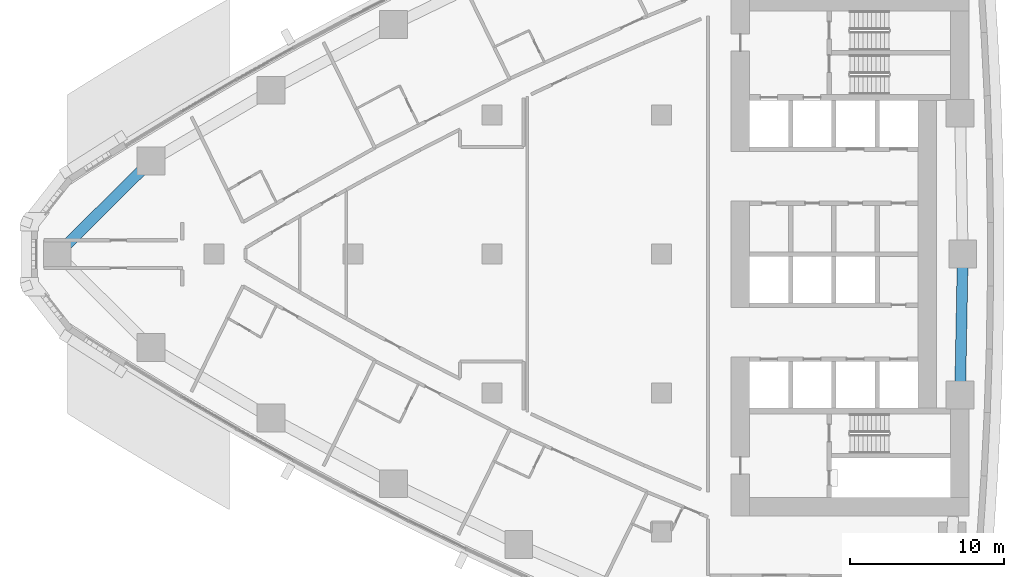
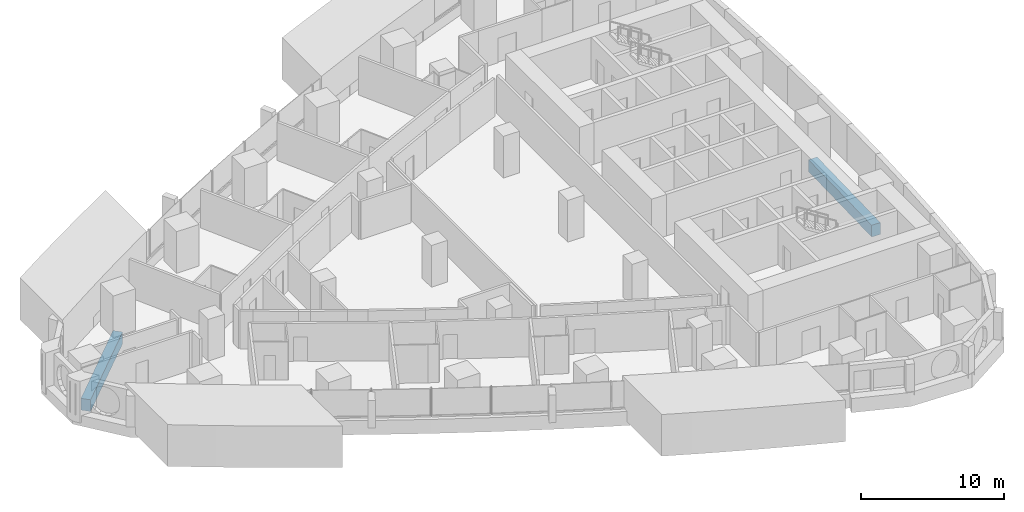
# One storey, part 4 of 19: 2 beams.
"""IFC4 building model written with IfcOpenShell, lengths in metres."""

import ifcopenshell
import ifcopenshell.guid

model = None  # the IFC model being written
_history = None  # IfcOwnerHistory: only IFC2X3 demands one
_inside = {}  # id of a spatial element -> (the spatial element, [elements in it])
_under = {}  # id of a project, library or spatial element -> (it, [spatial elements below it])
_declared = {}  # id of a project -> (the project, [libraries it declares])
_typed = {}  # id of a type object -> (the type object, [elements of that type])
_made_of = {}  # id of a material, layer set ... -> (it, [elements and type objects made of it])


def new_model(schema):
    """Start an empty IFC model of exactly this schema.

    Asked for "IFC4X3", IfcOpenShell would pick the latest addendum, in which some entities
    have other attributes; the version numbers below select the first issue.
    IFC2X3 requires an IfcOwnerHistory on every rooted entity: one is made here for all.
    """
    global model, _history
    if schema == "IFC4X3":
        model = ifcopenshell.file(schema_version=(4, 3, 0, 0))
    else:
        model = ifcopenshell.file(schema=schema)
    _inside.clear()
    _under.clear()
    _declared.clear()
    _typed.clear()
    _made_of.clear()
    _history = None
    if model.schema == "IFC2X3":
        org = make("IfcOrganization", Name="unknown")
        user = make(
            "IfcPersonAndOrganization",
            ThePerson=make("IfcPerson", FamilyName="unknown"),
            TheOrganization=org,
        )
        app = make(
            "IfcApplication",
            ApplicationDeveloper=org,
            Version="unknown",
            ApplicationFullName="unknown",
            ApplicationIdentifier="unknown",
        )
        _history = make(
            "IfcOwnerHistory",
            OwningUser=user,
            OwningApplication=app,
            ChangeAction="ADDED",
            CreationDate=0,
        )
    return model


def make(cls, **values):
    """One entity of the class cls with the attributes given. An attribute that is None is left unset."""
    return model.create_entity(
        cls, **{name: value for name, value in values.items() if value is not None}
    )


def rooted(cls, **values):
    """An entity with a GlobalId (a new one), such as an element, a storey or a relation."""
    return make(cls, GlobalId=ifcopenshell.guid.new(), OwnerHistory=_history, **values)


def si_unit(unit_type, name, prefix=None):
    """IfcSIUnit, for example si_unit("LENGTHUNIT", "METRE", prefix="MILLI")."""
    return make("IfcSIUnit", UnitType=unit_type, Prefix=prefix, Name=name)


def assignment(units):
    """IfcUnitAssignment: the units of a project."""
    return None if units is None else make("IfcUnitAssignment", Units=units)


def point(xyz):
    """IfcCartesianPoint."""
    return None if xyz is None else make("IfcCartesianPoint", Coordinates=xyz)


def direction(xyz):
    """IfcDirection."""
    return None if xyz is None else make("IfcDirection", DirectionRatios=xyz)


def frame(location, z_axis=None, x_axis=None):
    """IfcAxis2Placement3D, a coordinate frame: its origin and axes. An axis left out is left unset."""
    return make(
        "IfcAxis2Placement3D",
        Location=point(location),
        Axis=direction(z_axis),
        RefDirection=direction(x_axis),
    )


def frame_2d(location, x_axis=None):
    """IfcAxis2Placement2D, a coordinate frame in the plane: its origin and x axis."""
    return make(
        "IfcAxis2Placement2D", Location=point(location), RefDirection=direction(x_axis)
    )


def origin():
    """The frame at (0, 0, 0) with its axes left unset."""
    return frame((0.0, 0.0, 0.0))


def origin_2d():
    """The frame at (0, 0) in the plane with its x axis left unset."""
    return frame_2d((0.0, 0.0))


def place(relative_to, where):
    """IfcLocalPlacement: puts the frame where relative to a parent placement (None: the world)."""
    return make(
        "IfcLocalPlacement", PlacementRelTo=relative_to, RelativePlacement=where
    )


def context(
    kind, dimensions, precision=None, world=None, true_north=None, identifier=None
):
    """IfcGeometricRepresentationContext, for example the 3D "Model" context."""
    return make(
        "IfcGeometricRepresentationContext",
        ContextIdentifier=identifier,
        ContextType=kind,
        CoordinateSpaceDimension=dimensions,
        Precision=precision,
        WorldCoordinateSystem=world,
        TrueNorth=true_north,
    )


def subcontext(parent, identifier, kind, view, scale=None):
    """IfcGeometricRepresentationSubContext, for example "Body" below "Model"."""
    return make(
        "IfcGeometricRepresentationSubContext",
        ContextIdentifier=identifier,
        ContextType=kind,
        ParentContext=parent,
        TargetScale=scale,
        TargetView=view,
    )


def project(units=None, contexts=None):
    """IfcProject with its units and contexts."""
    return rooted(
        "IfcProject",
        Name="project",
        RepresentationContexts=contexts,
        UnitsInContext=assignment(units),
    )


def spatial(cls, under=None, at=None, **own):
    """A site, building, storey or space (cls), placed at a placement, below another one or the project."""
    s = rooted(cls, ObjectPlacement=at, **own)
    if under is not None:
        _under.setdefault(under.id(), (under, []))[1].append(s)
    return s


def profile(cls, at=None, kind="AREA", **sizes):
    """A parametric profile (cls). Its sizes go by their IFC names, for example OverallWidth=200.0."""
    return make(cls, ProfileType=kind, Position=at, **sizes)


def rectangle(**sizes):
    """IfcRectangleProfileDef."""
    return profile("IfcRectangleProfileDef", **sizes)


def extrude(swept, where, along, depth):
    """IfcExtrudedAreaSolid: the profile swept, set in the frame where, extruded along a direction by depth."""
    return make(
        "IfcExtrudedAreaSolid",
        SweptArea=swept,
        Position=where,
        ExtrudedDirection=direction(along),
        Depth=depth,
    )


def shape(context_of_items, identifier, shape_type, items):
    """IfcShapeRepresentation: the items that make up one representation, for example the "Body"."""
    return make(
        "IfcShapeRepresentation",
        ContextOfItems=context_of_items,
        RepresentationIdentifier=identifier,
        RepresentationType=shape_type,
        Items=items,
    )


def material(Name=None, Category=None):
    """IfcMaterial."""
    return make("IfcMaterial", Name=Name, Category=Category)


def material_profile(
    of_material, cross_section, Name=None, Category=None, Priority=None
):
    """IfcMaterialProfile: a cross section and its material."""
    return make(
        "IfcMaterialProfile",
        Name=Name,
        Material=of_material,
        Profile=cross_section,
        Priority=Priority,
        Category=Category,
    )


def profile_set(profiles, Name=None, composite=None):
    """IfcMaterialProfileSet."""
    return make(
        "IfcMaterialProfileSet",
        Name=Name,
        MaterialProfiles=profiles,
        CompositeProfile=composite,
    )


def made_of(thing, what):
    """Note that an element or type object is made of a material, layer set ...; save() writes the relation."""
    if what is not None:
        _made_of.setdefault(what.id(), (what, []))[1].append(thing)
    return thing


def type_object(cls, material=None, **own):
    """A type object (cls), such as IfcWallType, which elements share."""
    return made_of(rooted(cls, **own), material)


def element(
    cls,
    number,
    at=None,
    inside=None,
    cuts=None,
    type_object=None,
    material=None,
    context=None,
    identifier="Body",
    shape_type=None,
    held_by="IfcProductDefinitionShape",
    body=None,
    shapes=None,
    **own,
):
    """One element of the class cls, such as IfcWall. Its Tag is "e" and its number.

    at: its placement. inside: the storey or other place that contains it. cuts: it is an
    opening in that element (IfcRelVoidsElement). A single representation is given by context,
    identifier, shape_type and body (its items); several are given by shapes. held_by: the class
    of the entity that holds the representations. save() writes the other relations.
    """
    e = rooted(cls, Tag="e%d" % number, ObjectPlacement=at, **own)
    if body is not None:
        shapes = [shape(context, identifier, shape_type, body)]
    if shapes is not None:
        e.Representation = make(held_by, Representations=shapes)
    if inside is not None:
        _inside.setdefault(inside.id(), (inside, []))[1].append(e)
    if cuts is not None:
        rooted(
            "IfcRelVoidsElement", RelatingBuildingElement=cuts, RelatedOpeningElement=e
        )
    if type_object is not None:
        _typed.setdefault(type_object.id(), (type_object, []))[1].append(e)
    return made_of(e, material)


def aggregate(whole, parts):
    """IfcRelAggregates: a whole, such as a stair, and the parts it consists of."""
    return rooted("IfcRelAggregates", RelatingObject=whole, RelatedObjects=parts)


def save(model, path):
    """Write the relations noted so far, then the file.

    IfcRelAggregates (storeys below a building ...), IfcRelContainedInSpatialStructure (elements
    in a storey), IfcRelDefinesByType, IfcRelAssociatesMaterial and IfcRelDeclares: one each for
    every whole, place, type object, material and project.
    """
    for whole, parts in _under.values():
        aggregate(whole, parts)
    for where, things in _inside.values():
        rooted(
            "IfcRelContainedInSpatialStructure",
            RelatedElements=things,
            RelatingStructure=where,
        )
    for kind, things in _typed.values():
        rooted("IfcRelDefinesByType", RelatedObjects=things, RelatingType=kind)
    for what, things in _made_of.values():
        rooted("IfcRelAssociatesMaterial", RelatedObjects=things, RelatingMaterial=what)
    for by, libraries in _declared.values():
        rooted("IfcRelDeclares", RelatingContext=by, RelatedDefinitions=libraries)
    model.write(path)


model = new_model("IFC4")

# Units and contexts
model_context = context("Model", 3, precision=1e-05, world=origin(), true_north=direction((0.0, 1.0)))
body_context = subcontext(model_context, "Body", "Model", "MODEL_VIEW")
ifc_project = project(units=[si_unit("LENGTHUNIT", "METRE"), si_unit("AREAUNIT", "SQUARE_METRE"), si_unit("VOLUMEUNIT", "CUBIC_METRE"), si_unit("PLANEANGLEUNIT", "RADIAN"), si_unit("MASSUNIT", "GRAM", prefix="KILO")], contexts=[model_context])

# Site, building, storey
site_placement = place(None, origin())
site = spatial("IfcSite", under=ifc_project, at=site_placement, CompositionType="ELEMENT")
building_placement = place(site_placement, origin())
building = spatial("IfcBuilding", under=site, at=building_placement, Name="Ostrand Prow Hotel Tower", CompositionType="ELEMENT")
storey_placement = place(building_placement, frame((0.0, 0.0, 60.89990234375)))
storey = spatial("IfcBuildingStorey", under=building, at=storey_placement, Name="L13", CompositionType="ELEMENT", Elevation=60.89990234375)

# Beams
ifc_material = material(Name="Concrete C80/95", Category="concrete")
ifc_material_profile = material_profile(ifc_material, rectangle(XDim=0.699951171875, YDim=1.0, at=origin_2d()), Name="RC 700x1000")
ifc_profile_set = profile_set([ifc_material_profile], Name="Concrete C80/95")
beam_type = type_object("IfcBeamType", Name="Edge beam 700x1000 C80/95", PredefinedType="SPANDREL", material=ifc_profile_set)
beam_1_placement = place(storey_placement, frame((64.328369140625, -9.130859375, -0.7998046875), z_axis=(0.018793471688, 0.999823387115, 0.0), x_axis=(-0.999823387115, 0.018793471688, 0.0)))
element("IfcBeam", 1, at=beam_1_placement, inside=storey, type_object=beam_type, Name="Edge beam B2-B3", PredefinedType="SPANDREL", context=body_context, shape_type="SweptSolid", body=[
    extrude(rectangle(XDim=0.699951171875, YDim=1.0, at=origin_2d()), origin(), (0.0, 0.0, 1.0), 9.132568359375),
])
beam_2_placement = place(storey_placement, frame((11.926513671875, 6.0419921875, -0.7998046875), z_axis=(-0.709211674915, -0.70499560294, 0.0), x_axis=(0.70499560294, -0.709211674915, 0.0)))
element("IfcBeam", 2, at=beam_2_placement, inside=storey, type_object=beam_type, Name="Edge beam N6-P", PredefinedType="SPANDREL", context=body_context, shape_type="SweptSolid", body=[
    extrude(rectangle(XDim=0.699951171875, YDim=1.0, at=origin_2d()), origin(), (0.0, 0.0, 1.0), 8.5703125),
])

save(model, "model.ifc")
